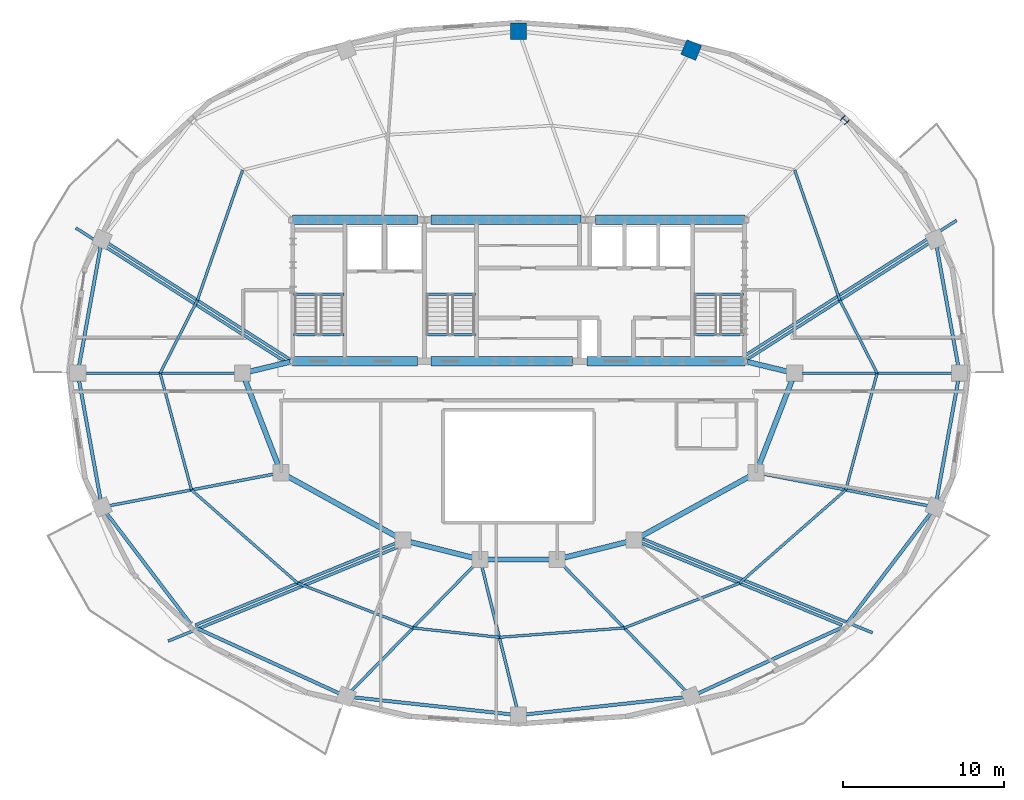
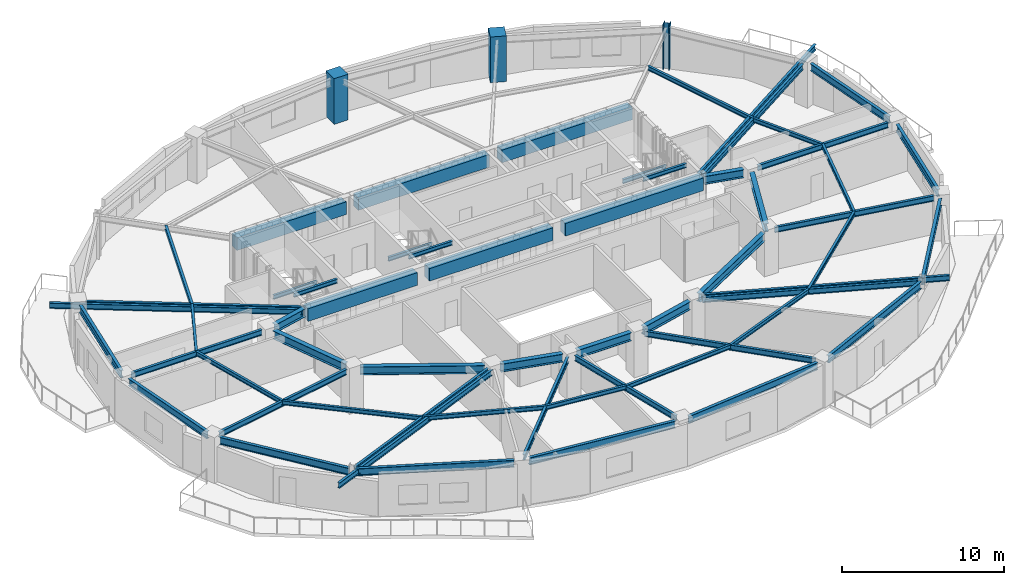
# One storey, part 2 of 11: 58 beams, 3 columns.
"""IFC4 building model written with IfcOpenShell, lengths in metres."""

from ifc_helpers import new_model, si_unit, direction, frame, origin, origin_2d, place, context, subcontext, project, spatial, rectangle, i_section, extrude, material, material_profile, profile_set, type_object, element, save


model = new_model("IFC4")

# Units and contexts
model_context = context("Model", 3, precision=1e-05, world=origin(), true_north=direction((0.0, 1.0)))
body_context = subcontext(model_context, "Body", "Model", "MODEL_VIEW")
ifc_project = project(units=[si_unit("LENGTHUNIT", "METRE"), si_unit("AREAUNIT", "SQUARE_METRE"), si_unit("VOLUMEUNIT", "CUBIC_METRE"), si_unit("PLANEANGLEUNIT", "RADIAN"), si_unit("MASSUNIT", "GRAM", prefix="KILO")], contexts=[model_context])

# Site, building, storey
site_placement = place(None, origin())
site = spatial("IfcSite", under=ifc_project, at=site_placement, CompositionType="ELEMENT")
building_placement = place(site_placement, origin())
building = spatial("IfcBuilding", under=site, at=building_placement, Name="Haldorwick Loom Tower", CompositionType="ELEMENT")
storey_placement = place(building_placement, frame((0.0, 0.0, 234.0)))
storey = spatial("IfcBuildingStorey", under=building, at=storey_placement, Name="L63", CompositionType="ELEMENT", Elevation=234.0)

# Columns
ifc_material_1 = material(Name="Concrete C60 (60 MPa)", Category="concrete")
ifc_material_profile_1 = material_profile(ifc_material_1, rectangle(XDim=1.0, YDim=1.0, at=origin_2d()), Name="RC1000X1000", Category="concrete")
ifc_profile_set_1 = profile_set([ifc_material_profile_1], Name="Concrete C60 (60 MPa)")
column_type_1 = type_object("IfcColumnType", Name="STR-COL-RC1000", PredefinedType="COLUMN", material=ifc_profile_set_1)
for number, where, z_axis, x_axis, name in (
    (1, (46.75341796875, 46.140625, 0.0), (0.0, 0.0, 1.0), (0.382683432365, 0.923879532511, 0.0), "L63 Perimeter Pier Column P04"),
    (2, (36.0, 47.304931640625, 0.0), (0.0, 0.0, 1.0), (0.0, 1.0, 0.0), "L63 Perimeter Pier Column P05"),
):
    element("IfcColumn", number, at=place(storey_placement, frame(where, z_axis=z_axis, x_axis=x_axis)), inside=storey, type_object=column_type_1, Name=name, PredefinedType="COLUMN", context=body_context, shape_type="SweptSolid", body=[
        extrude(rectangle(XDim=1.0, YDim=1.0, at=origin_2d()), origin(), (0.0, 0.0, 1.0), 3.449951171875),
    ])
ifc_material_2 = material(Name="Steel CSA G40.21 350W", Category="steel")
ifc_material_profile_2 = material_profile(ifc_material_2, i_section(OverallWidth=0.406005859375, OverallDepth=0.416015625, WebThickness=0.024169921875, FlangeThickness=0.03857421875, at=origin_2d()), Name="W360X382", Category="steel")
ifc_profile_set_2 = profile_set([ifc_material_profile_2], Name="Steel CSA G40.21 350W")
column_type_2 = type_object("IfcColumnType", Name="STR-COL-W360X382", PredefinedType="COLUMN", material=ifc_profile_set_2)
column_placement = place(storey_placement, frame((56.317626953125, 41.764892578125, 0.0), z_axis=(0.0, 0.0, 1.0), x_axis=(0.707106781187, 0.707106781187, 0.0)))
element("IfcColumn", 3, at=column_placement, inside=storey, type_object=column_type_2, Name="L63 Perimeter Pier Column P03", PredefinedType="COLUMN", context=body_context, shape_type="SweptSolid", body=[
    extrude(i_section(OverallWidth=0.406005859375, OverallDepth=0.416015625, WebThickness=0.024169921875, FlangeThickness=0.03857421875, at=origin_2d()), origin(), (0.0, 0.0, 1.0), 3.449951171875),
])

# Beams
ifc_material_profile_3 = material_profile(ifc_material_2, i_section(OverallWidth=0.179931640625, OverallDepth=0.4130859375, WebThickness=0.009765625, FlangeThickness=0.01611328125, at=origin_2d()), Name="W410X74", Category="steel")
ifc_profile_set_3 = profile_set([ifc_material_profile_3], Name="Steel CSA G40.21 350W")
beam_type_1 = type_object("IfcBeamType", Name="STR-BM-BAL410", PredefinedType="BEAM", material=ifc_profile_set_3)
beam_1_placement = place(storey_placement, frame((43.74560546875, 15.679443359375, 3.00341796875), z_axis=(0.925580184245, -0.378551611451, 0.0), x_axis=(0.378551611451, 0.925580184245, 0.0)))
element("IfcBeam", 4, at=beam_1_placement, inside=storey, type_object=beam_type_1, Name="L63 Continuous Back-Spanned Balcony Beam 1", PredefinedType="BEAM", context=body_context, shape_type="SweptSolid", body=[
    extrude(i_section(OverallWidth=0.179931640625, OverallDepth=0.4130859375, WebThickness=0.009765625, FlangeThickness=0.01611328125, at=origin_2d()), origin(), (0.0, 0.0, 1.0), 15.447509765625),
])
beam_2_placement = place(storey_placement, frame((28.46630859375, 15.160888671875, 3.00341796875), z_axis=(-0.925585721791, -0.378538071556, 0.0), x_axis=(0.378538071556, -0.925585721791, 0.0)))
element("IfcBeam", 5, at=beam_2_placement, inside=storey, type_object=beam_type_1, Name="L63 Continuous Back-Spanned Balcony Beam 2", PredefinedType="BEAM", context=body_context, shape_type="SweptSolid", body=[
    extrude(i_section(OverallWidth=0.179931640625, OverallDepth=0.4130859375, WebThickness=0.009765625, FlangeThickness=0.01611328125, at=origin_2d()), origin(), (0.0, 0.0, 1.0), 15.447265625),
])
for number, where, z_axis, x_axis, name in (
    (6, (21.62939453125, 26.60986328125, 3.00341796875), (-0.842844376394, 0.538157372133, 0.0), (-0.538157372133, -0.842844376394, 0.0), "L63 Continuous Back-Spanned Balcony Beam 3"),
    (7, (50.0693359375, 27.081787109375, 3.00341796875), (0.842844376394, 0.538157372133, 0.0), (-0.538157372133, 0.842844376394, 0.0), "L63 Continuous Back-Spanned Balcony Beam 4"),
):
    element("IfcBeam", number, at=place(storey_placement, frame(where, z_axis=z_axis, x_axis=x_axis)), inside=storey, type_object=beam_type_1, Name=name, PredefinedType="BEAM", context=body_context, shape_type="SweptSolid", body=[
        extrude(i_section(OverallWidth=0.179931640625, OverallDepth=0.4130859375, WebThickness=0.009765625, FlangeThickness=0.01611328125, at=origin_2d()), origin(), (0.0, 0.0, 1.0), 15.680419921875),
    ])
ifc_material_3 = material(Name="Concrete C50 (50 MPa)", Category="concrete")
ifc_material_profile_4 = material_profile(ifc_material_3, rectangle(XDim=0.60009765625, YDim=0.949951171875, at=origin_2d()), Name="RC600X950", Category="concrete")
ifc_profile_set_4 = profile_set([ifc_material_profile_4], Name="Concrete C50 (50 MPa)")
beam_type_2 = type_object("IfcBeamType", Name="STR-BM-CB950", PredefinedType="LINTEL", material=ifc_profile_set_4)
beam_3_placement = place(storey_placement, frame((21.89990234375, 35.550048828125, 2.735107421875), z_axis=(1.0, 0.0, 0.0), x_axis=(0.0, 1.0, 0.0)))
element("IfcBeam", 8, at=beam_3_placement, inside=storey, type_object=beam_type_2, Name="L63 Core Coupling Beam CB-N1", PredefinedType="LINTEL", context=body_context, shape_type="SweptSolid", body=[
    extrude(rectangle(XDim=0.60009765625, YDim=0.949951171875, at=origin_2d()), origin(), (0.0, 0.0, 1.0), 7.800048828125),
])
beam_4_placement = place(storey_placement, frame((30.550048828125, 35.550048828125, 2.735107421875), z_axis=(1.0, 0.0, 0.0), x_axis=(0.0, 1.0, 0.0)))
element("IfcBeam", 9, at=beam_4_placement, inside=storey, type_object=beam_type_2, Name="L63 Core Coupling Beam CB-N2", PredefinedType="LINTEL", context=body_context, shape_type="SweptSolid", body=[
    extrude(rectangle(XDim=0.60009765625, YDim=0.949951171875, at=origin_2d()), origin(), (0.0, 0.0, 1.0), 9.349853515625),
])
beam_5_placement = place(storey_placement, frame((40.800048828125, 35.550048828125, 2.735107421875), z_axis=(1.0, 0.0, 0.0), x_axis=(0.0, 1.0, 0.0)))
element("IfcBeam", 10, at=beam_5_placement, inside=storey, type_object=beam_type_2, Name="L63 Core Coupling Beam CB-N3", PredefinedType="LINTEL", context=body_context, shape_type="SweptSolid", body=[
    extrude(rectangle(XDim=0.60009765625, YDim=0.949951171875, at=origin_2d()), origin(), (0.0, 0.0, 1.0), 9.300048828125),
])
beam_6_placement = place(storey_placement, frame((21.89990234375, 26.75, 2.735107421875), z_axis=(1.0, 0.0, 0.0), x_axis=(0.0, 1.0, 0.0)))
element("IfcBeam", 11, at=beam_6_placement, inside=storey, type_object=beam_type_2, Name="L63 Core Coupling Beam CB-S1", PredefinedType="LINTEL", context=body_context, shape_type="SweptSolid", body=[
    extrude(rectangle(XDim=0.60009765625, YDim=0.949951171875, at=origin_2d()), origin(), (0.0, 0.0, 1.0), 7.800048828125),
])
beam_7_placement = place(storey_placement, frame((30.550048828125, 26.75, 2.735107421875), z_axis=(1.0, 0.0, 0.0), x_axis=(0.0, 1.0, 0.0)))
element("IfcBeam", 12, at=beam_7_placement, inside=storey, type_object=beam_type_2, Name="L63 Core Coupling Beam CB-S2", PredefinedType="LINTEL", context=body_context, shape_type="SweptSolid", body=[
    extrude(rectangle(XDim=0.60009765625, YDim=0.949951171875, at=origin_2d()), origin(), (0.0, 0.0, 1.0), 8.800048828125),
])
beam_8_placement = place(storey_placement, frame((40.25, 26.75, 2.735107421875), z_axis=(1.0, 0.0, 0.0), x_axis=(0.0, 1.0, 0.0)))
element("IfcBeam", 13, at=beam_8_placement, inside=storey, type_object=beam_type_2, Name="L63 Core Coupling Beam CB-S3", PredefinedType="LINTEL", context=body_context, shape_type="SweptSolid", body=[
    extrude(rectangle(XDim=0.60009765625, YDim=0.949951171875, at=origin_2d()), origin(), (0.0, 0.0, 1.0), 9.85009765625),
])
ifc_material_profile_5 = material_profile(ifc_material_2, i_section(OverallWidth=0.166015625, OverallDepth=0.31298828125, WebThickness=0.006591796875, FlangeThickness=0.01123046875, at=origin_2d()), Name="W310X45", Category="steel")
ifc_profile_set_5 = profile_set([ifc_material_profile_5], Name="Steel CSA G40.21 350W")
beam_type_3 = type_object("IfcBeamType", Name="STR-BM-J310", PredefinedType="JOIST", material=ifc_profile_set_5)
beam_9_placement = place(storey_placement, frame((58.333251953125, 26.0, 3.053466796875), z_axis=(-0.454203827517, 0.890897796085, 0.0), x_axis=(-0.890897796085, -0.454203827517, 0.0)))
element("IfcBeam", 14, at=beam_9_placement, inside=storey, type_object=beam_type_3, Name="L63 Mid-Bay Secondary Joist 1", PredefinedType="JOIST", context=body_context, shape_type="SweptSolid", body=[
    extrude(i_section(OverallWidth=0.166015625, OverallDepth=0.31298828125, WebThickness=0.006591796875, FlangeThickness=0.01123046875, at=origin_2d()), origin(), (0.0, 0.0, 1.0), 5.103271484375),
])
for number, where, z_axis, x_axis, name in (
    (15, (56.015380859375, 30.54638671875, 3.053466796875), (-0.328550395803, 0.944486441098, 0.0), (-0.944486441098, -0.328550395803, 0.0), "L63 Mid-Bay Secondary Joist 2"),
    (16, (18.80615234375, 38.657470703125, 3.053466796875), (-0.328550395803, -0.944486441098, 0.0), (0.944486441098, -0.328550395803, 0.0), "L63 Mid-Bay Secondary Joist 7"),
):
    element("IfcBeam", number, at=place(storey_placement, frame(where, z_axis=z_axis, x_axis=x_axis)), inside=storey, type_object=beam_type_3, Name=name, PredefinedType="JOIST", context=body_context, shape_type="SweptSolid", body=[
        extrude(i_section(OverallWidth=0.166015625, OverallDepth=0.31298828125, WebThickness=0.006591796875, FlangeThickness=0.01123046875, at=origin_2d()), origin(), (0.0, 0.0, 1.0), 8.587890625),
    ])
beam_10_placement = place(storey_placement, frame((15.984619140625, 30.54638671875, 3.053466796875), z_axis=(-0.454203827517, -0.890897796085, 0.0), x_axis=(0.890897796085, -0.454203827517, 0.0)))
element("IfcBeam", 17, at=beam_10_placement, inside=storey, type_object=beam_type_3, Name="L63 Mid-Bay Secondary Joist 8", PredefinedType="JOIST", context=body_context, shape_type="SweptSolid", body=[
    extrude(i_section(OverallWidth=0.166015625, OverallDepth=0.31298828125, WebThickness=0.006591796875, FlangeThickness=0.01123046875, at=origin_2d()), origin(), (0.0, 0.0, 1.0), 5.103271484375),
])
beam_11_placement = place(storey_placement, frame((13.666748046875, 26.0, 3.053466796875), z_axis=(0.259353588718, -0.965782437208, 0.0), x_axis=(0.965782437208, 0.259353588718, 0.0)))
element("IfcBeam", 18, at=beam_11_placement, inside=storey, type_object=beam_type_3, Name="L63 Mid-Bay Secondary Joist 9", PredefinedType="JOIST", context=body_context, shape_type="SweptSolid", body=[
    extrude(i_section(OverallWidth=0.166015625, OverallDepth=0.31298828125, WebThickness=0.006591796875, FlangeThickness=0.01123046875, at=origin_2d()), origin(), (0.0, 0.0, 1.0), 7.52880859375),
])
beam_12_placement = place(storey_placement, frame((15.619384765625, 18.728759765625, 3.053466796875), z_axis=(0.751609427289, -0.659608420815, 0.0), x_axis=(0.659608420815, 0.751609427289, 0.0)))
element("IfcBeam", 19, at=beam_12_placement, inside=storey, type_object=beam_type_3, Name="L63 Mid-Bay Secondary Joist 10", PredefinedType="JOIST", context=body_context, shape_type="SweptSolid", body=[
    extrude(i_section(OverallWidth=0.166015625, OverallDepth=0.31298828125, WebThickness=0.006591796875, FlangeThickness=0.01123046875, at=origin_2d()), origin(), (0.0, 0.0, 1.0), 8.810302734375),
])
beam_13_placement = place(storey_placement, frame((22.2412109375, 12.91748046875, 3.053466796875), z_axis=(0.932232852675, -0.36185896202, 0.0), x_axis=(0.36185896202, 0.932232852675, 0.0)))
element("IfcBeam", 20, at=beam_13_placement, inside=storey, type_object=beam_type_3, Name="L63 Mid-Bay Secondary Joist 11", PredefinedType="JOIST", context=body_context, shape_type="SweptSolid", body=[
    extrude(i_section(OverallWidth=0.166015625, OverallDepth=0.31298828125, WebThickness=0.006591796875, FlangeThickness=0.01123046875, at=origin_2d()), origin(), (0.0, 0.0, 1.0), 7.7041015625),
])
beam_14_placement = place(storey_placement, frame((29.42333984375, 10.129638671875, 3.053466796875), z_axis=(0.994191913888, -0.107621737398, 0.0), x_axis=(0.107621737398, 0.994191913888, 0.0)))
element("IfcBeam", 21, at=beam_14_placement, inside=storey, type_object=beam_type_3, Name="L63 Mid-Bay Secondary Joist 12", PredefinedType="JOIST", context=body_context, shape_type="SweptSolid", body=[
    extrude(i_section(OverallWidth=0.166015625, OverallDepth=0.31298828125, WebThickness=0.006591796875, FlangeThickness=0.01123046875, at=origin_2d()), origin(), (0.0, 0.0, 1.0), 5.408203125),
])
beam_15_placement = place(storey_placement, frame((34.800048828125, 9.547607421875, 3.053466796875), z_axis=(0.997210913817, 0.074635067923, 0.0), x_axis=(-0.074635067923, 0.997210913817, 0.0)))
element("IfcBeam", 22, at=beam_15_placement, inside=storey, type_object=beam_type_3, Name="L63 Mid-Bay Secondary Joist 13", PredefinedType="JOIST", context=body_context, shape_type="SweptSolid", body=[
    extrude(i_section(OverallWidth=0.166015625, OverallDepth=0.31298828125, WebThickness=0.006591796875, FlangeThickness=0.01123046875, at=origin_2d()), origin(), (0.0, 0.0, 1.0), 7.79833984375),
])
beam_16_placement = place(storey_placement, frame((42.57666015625, 10.129638671875, 3.053466796875), z_axis=(0.932232852675, 0.36185896202, 0.0), x_axis=(-0.36185896202, 0.932232852675, 0.0)))
element("IfcBeam", 23, at=beam_16_placement, inside=storey, type_object=beam_type_3, Name="L63 Mid-Bay Secondary Joist 14", PredefinedType="JOIST", context=body_context, shape_type="SweptSolid", body=[
    extrude(i_section(OverallWidth=0.166015625, OverallDepth=0.31298828125, WebThickness=0.006591796875, FlangeThickness=0.01123046875, at=origin_2d()), origin(), (0.0, 0.0, 1.0), 7.7041015625),
])
beam_17_placement = place(storey_placement, frame((49.7587890625, 12.91748046875, 3.053466796875), z_axis=(0.751609427289, 0.659608420815, 0.0), x_axis=(-0.659608420815, 0.751609427289, 0.0)))
element("IfcBeam", 24, at=beam_17_placement, inside=storey, type_object=beam_type_3, Name="L63 Mid-Bay Secondary Joist 15", PredefinedType="JOIST", context=body_context, shape_type="SweptSolid", body=[
    extrude(i_section(OverallWidth=0.166015625, OverallDepth=0.31298828125, WebThickness=0.006591796875, FlangeThickness=0.01123046875, at=origin_2d()), origin(), (0.0, 0.0, 1.0), 8.810302734375),
])
beam_18_placement = place(storey_placement, frame((56.380615234375, 18.728759765625, 3.053466796875), z_axis=(0.259353588718, 0.965782437208, 0.0), x_axis=(-0.965782437208, 0.259353588718, 0.0)))
element("IfcBeam", 25, at=beam_18_placement, inside=storey, type_object=beam_type_3, Name="L63 Mid-Bay Secondary Joist 16", PredefinedType="JOIST", context=body_context, shape_type="SweptSolid", body=[
    extrude(i_section(OverallWidth=0.166015625, OverallDepth=0.31298828125, WebThickness=0.006591796875, FlangeThickness=0.01123046875, at=origin_2d()), origin(), (0.0, 0.0, 1.0), 7.52880859375),
])
ifc_material_profile_6 = material_profile(ifc_material_2, i_section(OverallWidth=0.179931640625, OverallDepth=0.4130859375, WebThickness=0.009765625, FlangeThickness=0.01611328125, at=origin_2d()), Name="W410X74", Category="steel")
ifc_profile_set_6 = profile_set([ifc_material_profile_6], Name="Steel CSA G40.21 350W")
beam_type_4 = type_object("IfcBeamType", Name="STR-BM-J410", PredefinedType="JOIST", material=ifc_profile_set_6)
beam_19_placement = place(storey_placement, frame((53.675048828125, 26.0, 3.00341796875), z_axis=(1.0, 0.0, 0.0), x_axis=(0.0, 1.0, 0.0)))
element("IfcBeam", 26, at=beam_19_placement, inside=storey, type_object=beam_type_4, Name="L63 Radial Floor Girder 1", PredefinedType="JOIST", context=body_context, shape_type="SweptSolid", body=[
    extrude(i_section(OverallWidth=0.179931640625, OverallDepth=0.4130859375, WebThickness=0.009765625, FlangeThickness=0.01611328125, at=origin_2d()), origin(), (0.0, 0.0, 1.0), 9.31640625),
])
for number, where, z_axis, x_axis, name in (
    (27, (50.219970703125, 26.845703125, 3.00341796875), (0.842841662301, 0.538161622833, 0.0), (-0.538161622833, 0.842841662301, 0.0), "L63 Radial Floor Girder 2"),
    (28, (21.780029296875, 26.845703125, 3.00341796875), (-0.842841662301, 0.538161622833, 0.0), (-0.538161622833, -0.842841662301, 0.0), "L63 Radial Floor Girder 8"),
):
    element("IfcBeam", number, at=place(storey_placement, frame(where, z_axis=z_axis, x_axis=x_axis)), inside=storey, type_object=beam_type_4, Name=name, PredefinedType="JOIST", context=body_context, shape_type="SweptSolid", body=[
        extrude(i_section(OverallWidth=0.179931640625, OverallDepth=0.4130859375, WebThickness=0.009765625, FlangeThickness=0.01611328125, at=origin_2d()), origin(), (0.0, 0.0, 1.0), 13.45556640625),
    ])
beam_20_placement = place(storey_placement, frame((18.324951171875, 26.0, 3.00341796875), z_axis=(-1.0, 0.0, 0.0), x_axis=(0.0, -1.0, 0.0)))
element("IfcBeam", 29, at=beam_20_placement, inside=storey, type_object=beam_type_4, Name="L63 Radial Floor Girder 9", PredefinedType="JOIST", context=body_context, shape_type="SweptSolid", body=[
    extrude(i_section(OverallWidth=0.179931640625, OverallDepth=0.4130859375, WebThickness=0.009765625, FlangeThickness=0.01611328125, at=origin_2d()), origin(), (0.0, 0.0, 1.0), 9.31640625),
])
beam_21_placement = place(storey_placement, frame((20.7333984375, 19.71044921875, 3.00341796875), z_axis=(-0.982068761346, -0.188523070173, 0.0), x_axis=(0.188523070173, -0.982068761346, 0.0)))
element("IfcBeam", 30, at=beam_21_placement, inside=storey, type_object=beam_type_4, Name="L63 Radial Floor Girder 10", PredefinedType="JOIST", context=body_context, shape_type="SweptSolid", body=[
    extrude(i_section(OverallWidth=0.179931640625, OverallDepth=0.4130859375, WebThickness=0.009765625, FlangeThickness=0.01611328125, at=origin_2d()), origin(), (0.0, 0.0, 1.0), 10.41455078125),
])
beam_22_placement = place(storey_placement, frame((28.3603515625, 15.420166015625, 3.00341796875), z_axis=(-0.925582046891, -0.378547057145, 0.0), x_axis=(0.378547057145, -0.925582046891, 0.0)))
element("IfcBeam", 31, at=beam_22_placement, inside=storey, type_object=beam_type_4, Name="L63 Radial Floor Girder 11", PredefinedType="JOIST", context=body_context, shape_type="SweptSolid", body=[
    extrude(i_section(OverallWidth=0.179931640625, OverallDepth=0.4130859375, WebThickness=0.009765625, FlangeThickness=0.01611328125, at=origin_2d()), origin(), (0.0, 0.0, 1.0), 13.519287109375),
])
beam_23_placement = place(storey_placement, frame((33.267822265625, 14.060302734375, 3.00341796875), z_axis=(-0.6992374297, -0.714889513775, 0.0), x_axis=(0.714889513775, -0.6992374297, 0.0)))
element("IfcBeam", 32, at=beam_23_placement, inside=storey, type_object=beam_type_4, Name="L63 Radial Floor Girder 12", PredefinedType="JOIST", context=body_context, shape_type="SweptSolid", body=[
    extrude(i_section(OverallWidth=0.179931640625, OverallDepth=0.4130859375, WebThickness=0.009765625, FlangeThickness=0.01611328125, at=origin_2d()), origin(), (0.0, 0.0, 1.0), 10.99658203125),
])
beam_24_placement = place(storey_placement, frame((33.714111328125, 13.93896484375, 3.00341796875), z_axis=(0.240052275929, -0.970759962515, 0.0), x_axis=(0.970759962515, 0.240052275929, 0.0)))
element("IfcBeam", 33, at=beam_24_placement, inside=storey, type_object=beam_type_4, Name="L63 Radial Floor Girder 13", PredefinedType="JOIST", context=body_context, shape_type="SweptSolid", body=[
    extrude(i_section(OverallWidth=0.179931640625, OverallDepth=0.4130859375, WebThickness=0.009765625, FlangeThickness=0.01611328125, at=origin_2d()), origin(), (0.0, 0.0, 1.0), 9.047607421875),
])
beam_25_placement = place(storey_placement, frame((38.732177734375, 14.060302734375, 3.00341796875), z_axis=(0.6992374297, -0.714889513775, 0.0), x_axis=(0.714889513775, 0.6992374297, 0.0)))
element("IfcBeam", 34, at=beam_25_placement, inside=storey, type_object=beam_type_4, Name="L63 Radial Floor Girder 14", PredefinedType="JOIST", context=body_context, shape_type="SweptSolid", body=[
    extrude(i_section(OverallWidth=0.179931640625, OverallDepth=0.4130859375, WebThickness=0.009765625, FlangeThickness=0.01611328125, at=origin_2d()), origin(), (0.0, 0.0, 1.0), 10.99658203125),
])
beam_26_placement = place(storey_placement, frame((43.6396484375, 15.420166015625, 3.00341796875), z_axis=(0.925582046891, -0.378547057145, 0.0), x_axis=(0.378547057145, 0.925582046891, 0.0)))
element("IfcBeam", 35, at=beam_26_placement, inside=storey, type_object=beam_type_4, Name="L63 Radial Floor Girder 15", PredefinedType="JOIST", context=body_context, shape_type="SweptSolid", body=[
    extrude(i_section(OverallWidth=0.179931640625, OverallDepth=0.4130859375, WebThickness=0.009765625, FlangeThickness=0.01611328125, at=origin_2d()), origin(), (0.0, 0.0, 1.0), 13.519287109375),
])
beam_27_placement = place(storey_placement, frame((51.2666015625, 19.71044921875, 3.00341796875), z_axis=(0.982068761346, -0.188523070173, 0.0), x_axis=(0.188523070173, 0.982068761346, 0.0)))
element("IfcBeam", 36, at=beam_27_placement, inside=storey, type_object=beam_type_4, Name="L63 Radial Floor Girder 16", PredefinedType="JOIST", context=body_context, shape_type="SweptSolid", body=[
    extrude(i_section(OverallWidth=0.179931640625, OverallDepth=0.4130859375, WebThickness=0.009765625, FlangeThickness=0.01611328125, at=origin_2d()), origin(), (0.0, 0.0, 1.0), 10.41455078125),
])
ifc_material_profile_7 = material_profile(ifc_material_2, i_section(OverallWidth=0.2119140625, OverallDepth=0.5439453125, WebThickness=0.01318359375, FlangeThickness=0.021240234375, at=origin_2d()), Name="W530X123", Category="steel")
ifc_profile_set_7 = profile_set([ifc_material_profile_7], Name="Steel CSA G40.21 350W")
beam_type_5 = type_object("IfcBeamType", Name="STR-BM-SP530", PredefinedType="SPANDREL", material=ifc_profile_set_7)
for number, where, z_axis, x_axis, name in (
    (37, (63.382080078125, 26.467529296875, 2.93798828125), (-0.177580880494, 0.984106209148, 0.0), (-0.984106209148, -0.177580880494, 0.0), "L63 Perimeter Spandrel 1"),
    (38, (9.95458984375, 33.875, 2.93798828125), (-0.177580880494, -0.984106209148, 0.0), (0.984106209148, -0.177580880494, 0.0), "L63 Perimeter Spandrel 8"),
    (39, (8.617919921875, 25.532470703125, 2.93798828125), (0.177580880494, -0.984106209148, 0.0), (0.984106209148, 0.177580880494, 0.0), "L63 Perimeter Spandrel 9"),
):
    element("IfcBeam", number, at=place(storey_placement, frame(where, z_axis=z_axis, x_axis=x_axis)), inside=storey, type_object=beam_type_5, Name=name, PredefinedType="SPANDREL", context=body_context, shape_type="SweptSolid", body=[
        extrude(i_section(OverallWidth=0.2119140625, OverallDepth=0.5439453125, WebThickness=0.01318359375, FlangeThickness=0.021240234375, at=origin_2d()), origin(), (0.0, 0.0, 1.0), 7.527099609375),
    ])
beam_28_placement = place(storey_placement, frame((10.326416015625, 17.279296875, 2.93798828125), z_axis=(0.605253156055, -0.796033050247, 0.0), x_axis=(0.796033050247, 0.605253156055, 0.0)))
element("IfcBeam", 40, at=beam_28_placement, inside=storey, type_object=beam_type_5, Name="L63 Perimeter Spandrel 10", PredefinedType="SPANDREL", context=body_context, shape_type="SweptSolid", body=[
    extrude(i_section(OverallWidth=0.2119140625, OverallDepth=0.5439453125, WebThickness=0.01318359375, FlangeThickness=0.021240234375, at=origin_2d()), origin(), (0.0, 0.0, 1.0), 8.671142578125),
])
beam_29_placement = place(storey_placement, frame((15.84423828125, 10.160888671875, 2.93798828125), z_axis=(0.909350907904, -0.41602995841, 0.0), x_axis=(0.41602995841, 0.909350907904, 0.0)))
element("IfcBeam", 41, at=beam_29_placement, inside=storey, type_object=beam_type_5, Name="L63 Perimeter Spandrel 11", PredefinedType="SPANDREL", context=body_context, shape_type="SweptSolid", body=[
    extrude(i_section(OverallWidth=0.2119140625, OverallDepth=0.5439453125, WebThickness=0.01318359375, FlangeThickness=0.021240234375, at=origin_2d()), origin(), (0.0, 0.0, 1.0), 9.86474609375),
])
for number, where, z_axis, x_axis, name in (
    (42, (25.71875, 5.808349609375, 2.93798828125), (0.994187378218, -0.107663628917, 0.0), (0.107663628917, 0.994187378218, 0.0), "L63 Perimeter Spandrel 12"),
    (43, (36.47216796875, 4.74609375, 2.93798828125), (0.994187378218, 0.107663628917, 0.0), (-0.107663628917, 0.994187378218, 0.0), "L63 Perimeter Spandrel 13"),
):
    element("IfcBeam", number, at=place(storey_placement, frame(where, z_axis=z_axis, x_axis=x_axis)), inside=storey, type_object=beam_type_5, Name=name, PredefinedType="SPANDREL", context=body_context, shape_type="SweptSolid", body=[
        extrude(i_section(OverallWidth=0.2119140625, OverallDepth=0.5439453125, WebThickness=0.01318359375, FlangeThickness=0.021240234375, at=origin_2d()), origin(), (0.0, 0.0, 1.0), 9.866455078125),
    ])
beam_30_placement = place(storey_placement, frame((47.185302734375, 6.056884765625, 2.93798828125), z_axis=(0.909350907904, 0.41602995841, 0.0), x_axis=(-0.41602995841, 0.909350907904, 0.0)))
element("IfcBeam", 44, at=beam_30_placement, inside=storey, type_object=beam_type_5, Name="L63 Perimeter Spandrel 14", PredefinedType="SPANDREL", context=body_context, shape_type="SweptSolid", body=[
    extrude(i_section(OverallWidth=0.2119140625, OverallDepth=0.5439453125, WebThickness=0.01318359375, FlangeThickness=0.021240234375, at=origin_2d()), origin(), (0.0, 0.0, 1.0), 9.86474609375),
])
beam_31_placement = place(storey_placement, frame((56.42529296875, 10.376708984375, 2.93798828125), z_axis=(0.605253156055, 0.796033050247, 0.0), x_axis=(-0.796033050247, 0.605253156055, 0.0)))
element("IfcBeam", 45, at=beam_31_placement, inside=storey, type_object=beam_type_5, Name="L63 Perimeter Spandrel 15", PredefinedType="SPANDREL", context=body_context, shape_type="SweptSolid", body=[
    extrude(i_section(OverallWidth=0.2119140625, OverallDepth=0.5439453125, WebThickness=0.01318359375, FlangeThickness=0.021240234375, at=origin_2d()), origin(), (0.0, 0.0, 1.0), 8.671142578125),
])
beam_32_placement = place(storey_placement, frame((62.04541015625, 18.125, 2.93798828125), z_axis=(0.177580880494, 0.984106209148, 0.0), x_axis=(-0.984106209148, 0.177580880494, 0.0)))
element("IfcBeam", 46, at=beam_32_placement, inside=storey, type_object=beam_type_5, Name="L63 Perimeter Spandrel 16", PredefinedType="SPANDREL", context=body_context, shape_type="SweptSolid", body=[
    extrude(i_section(OverallWidth=0.2119140625, OverallDepth=0.5439453125, WebThickness=0.01318359375, FlangeThickness=0.021240234375, at=origin_2d()), origin(), (0.0, 0.0, 1.0), 7.527099609375),
])
ifc_material_profile_8 = material_profile(ifc_material_2, i_section(OverallWidth=0.166015625, OverallDepth=0.31298828125, WebThickness=0.006591796875, FlangeThickness=0.01123046875, at=origin_2d()), Name="W310X45", Category="steel")
ifc_profile_set_8 = profile_set([ifc_material_profile_8], Name="Steel CSA G40.21 350W")
beam_type_6 = type_object("IfcBeamType", Name="STR-BM-STRM", PredefinedType="BEAM", material=ifc_profile_set_8)
for number, where, z_axis, x_axis, name in (
    (47, (21.989990234375, 28.39990234375, 3.053466796875), (1.0, 0.0, 0.0), (0.0, 1.0, 0.0), "L63 Stair ST-01 Landing Edge Trimmer"),
    (48, (21.989990234375, 30.919921875, 1.368408203125), (1.0, 0.0, 0.0), (0.0, 1.0, 0.0), "L63 Stair ST-01 Half-Landing Trimmer 1"),
    (49, (46.889892578125, 28.39990234375, 3.053466796875), (1.0, 0.0, 0.0), (0.0, 1.0, 0.0), "L63 Stair ST-02 Landing Edge Trimmer"),
    (50, (46.889892578125, 30.919921875, 1.368408203125), (1.0, 0.0, 0.0), (0.0, 1.0, 0.0), "L63 Stair ST-02 Half-Landing Trimmer 1"),
    (51, (30.18994140625, 28.39990234375, 3.053466796875), (1.0, 0.0, 0.0), (0.0, 1.0, 0.0), "L63 Stair ST-03 Landing Edge Trimmer"),
    (52, (30.18994140625, 30.919921875, 1.368408203125), (1.0, 0.0, 0.0), (0.0, 1.0, 0.0), "L63 Stair ST-03 Half-Landing Trimmer 1"),
):
    element("IfcBeam", number, at=place(storey_placement, frame(where, z_axis=z_axis, x_axis=x_axis)), inside=storey, type_object=beam_type_6, Name=name, PredefinedType="BEAM", context=body_context, shape_type="SweptSolid", body=[
        extrude(i_section(OverallWidth=0.166015625, OverallDepth=0.31298828125, WebThickness=0.006591796875, FlangeThickness=0.01123046875, at=origin_2d()), origin(), (0.0, 0.0, 1.0), 3.1201171875),
    ])
ifc_material_profile_9 = material_profile(ifc_material_2, i_section(OverallWidth=0.324951171875, OverallDepth=0.615966796875, WebThickness=0.013916015625, FlangeThickness=0.021484375, at=origin_2d()), Name="W610X174", Category="steel")
ifc_profile_set_9 = profile_set([ifc_material_profile_9], Name="Steel CSA G40.21 350W")
beam_type_7 = type_object("IfcBeamType", Name="STR-BM-W610A", PredefinedType="BEAM", material=ifc_profile_set_9)
beam_33_placement = place(storey_placement, frame((50.2431640625, 26.70849609375, 2.902099609375), z_axis=(0.972464127734, -0.233052612665, 0.0), x_axis=(0.233052612665, 0.972464127734, 0.0)))
element("IfcBeam", 53, at=beam_33_placement, inside=storey, type_object=beam_type_7, Name="L63 Inner Ring Girder 1", PredefinedType="BEAM", context=body_context, shape_type="SweptSolid", body=[
    extrude(i_section(OverallWidth=0.324951171875, OverallDepth=0.615966796875, WebThickness=0.013916015625, FlangeThickness=0.021484375, at=origin_2d()), origin(), (0.0, 0.0, 1.0), 2.5654296875),
])
beam_34_placement = place(storey_placement, frame((53.028564453125, 25.556884765625, 2.902099609375), z_axis=(-0.36101093026, -0.93256158415, 0.0), x_axis=(0.93256158415, -0.36101093026, 0.0)))
element("IfcBeam", 54, at=beam_34_placement, inside=storey, type_object=beam_type_7, Name="L63 Inner Ring Girder 2", PredefinedType="BEAM", context=body_context, shape_type="SweptSolid", body=[
    extrude(i_section(OverallWidth=0.324951171875, OverallDepth=0.615966796875, WebThickness=0.013916015625, FlangeThickness=0.021484375, at=origin_2d()), origin(), (0.0, 0.0, 1.0), 5.6982421875),
])
beam_35_placement = place(storey_placement, frame((50.38427734375, 19.5703125, 2.902099609375), z_axis=(-0.875243645673, -0.483682293152, 0.0), x_axis=(0.483682293152, -0.875243645673, 0.0)))
element("IfcBeam", 55, at=beam_35_placement, inside=storey, type_object=beam_type_7, Name="L63 Inner Ring Girder 3", PredefinedType="BEAM", context=body_context, shape_type="SweptSolid", body=[
    extrude(i_section(OverallWidth=0.324951171875, OverallDepth=0.615966796875, WebThickness=0.013916015625, FlangeThickness=0.021484375, at=origin_2d()), origin(), (0.0, 0.0, 1.0), 7.7333984375),
])
beam_36_placement = place(storey_placement, frame((42.7392578125, 15.48486328125, 2.902099609375), z_axis=(-0.970135315182, -0.242564363081, 0.0), x_axis=(0.242564363081, -0.970135315182, 0.0)))
element("IfcBeam", 56, at=beam_36_placement, inside=storey, type_object=beam_type_7, Name="L63 Inner Ring Girder 4", PredefinedType="BEAM", context=body_context, shape_type="SweptSolid", body=[
    extrude(i_section(OverallWidth=0.324951171875, OverallDepth=0.615966796875, WebThickness=0.013916015625, FlangeThickness=0.021484375, at=origin_2d()), origin(), (0.0, 0.0, 1.0), 3.997802734375),
])
beam_37_placement = place(storey_placement, frame((37.925048828125, 14.39990234375, 2.902099609375), z_axis=(-1.0, 0.0, 0.0), x_axis=(0.0, -1.0, 0.0)))
element("IfcBeam", 57, at=beam_37_placement, inside=storey, type_object=beam_type_7, Name="L63 Inner Ring Girder 5", PredefinedType="BEAM", context=body_context, shape_type="SweptSolid", body=[
    extrude(i_section(OverallWidth=0.324951171875, OverallDepth=0.615966796875, WebThickness=0.013916015625, FlangeThickness=0.021484375, at=origin_2d()), origin(), (0.0, 0.0, 1.0), 3.85009765625),
])
beam_38_placement = place(storey_placement, frame((33.13916015625, 14.51513671875, 2.902099609375), z_axis=(-0.970135315182, 0.242564363081, 0.0), x_axis=(-0.242564363081, -0.970135315182, 0.0)))
element("IfcBeam", 58, at=beam_38_placement, inside=storey, type_object=beam_type_7, Name="L63 Inner Ring Girder 6", PredefinedType="BEAM", context=body_context, shape_type="SweptSolid", body=[
    extrude(i_section(OverallWidth=0.324951171875, OverallDepth=0.615966796875, WebThickness=0.013916015625, FlangeThickness=0.021484375, at=origin_2d()), origin(), (0.0, 0.0, 1.0), 3.997802734375),
])
beam_39_placement = place(storey_placement, frame((28.38427734375, 15.829833984375, 2.902099609375), z_axis=(-0.875243645673, 0.483682293152, 0.0), x_axis=(-0.483682293152, -0.875243645673, 0.0)))
element("IfcBeam", 59, at=beam_39_placement, inside=storey, type_object=beam_type_7, Name="L63 Inner Ring Girder 7", PredefinedType="BEAM", context=body_context, shape_type="SweptSolid", body=[
    extrude(i_section(OverallWidth=0.324951171875, OverallDepth=0.615966796875, WebThickness=0.013916015625, FlangeThickness=0.021484375, at=origin_2d()), origin(), (0.0, 0.0, 1.0), 7.7333984375),
])
beam_40_placement = place(storey_placement, frame((21.028564453125, 20.242919921875, 2.902099609375), z_axis=(-0.36101093026, 0.93256158415, 0.0), x_axis=(-0.93256158415, -0.36101093026, 0.0)))
element("IfcBeam", 60, at=beam_40_placement, inside=storey, type_object=beam_type_7, Name="L63 Inner Ring Girder 8", PredefinedType="BEAM", context=body_context, shape_type="SweptSolid", body=[
    extrude(i_section(OverallWidth=0.324951171875, OverallDepth=0.615966796875, WebThickness=0.013916015625, FlangeThickness=0.021484375, at=origin_2d()), origin(), (0.0, 0.0, 1.0), 5.6982421875),
])
beam_41_placement = place(storey_placement, frame((19.261962890625, 26.110595703125, 2.902099609375), z_axis=(0.972464127734, 0.233052612665, 0.0), x_axis=(-0.233052612665, 0.972464127734, 0.0)))
element("IfcBeam", 61, at=beam_41_placement, inside=storey, type_object=beam_type_7, Name="L63 Inner Ring Girder 9", PredefinedType="BEAM", context=body_context, shape_type="SweptSolid", body=[
    extrude(i_section(OverallWidth=0.324951171875, OverallDepth=0.615966796875, WebThickness=0.013916015625, FlangeThickness=0.021484375, at=origin_2d()), origin(), (0.0, 0.0, 1.0), 2.5654296875),
])

save(model, "model.ifc")
